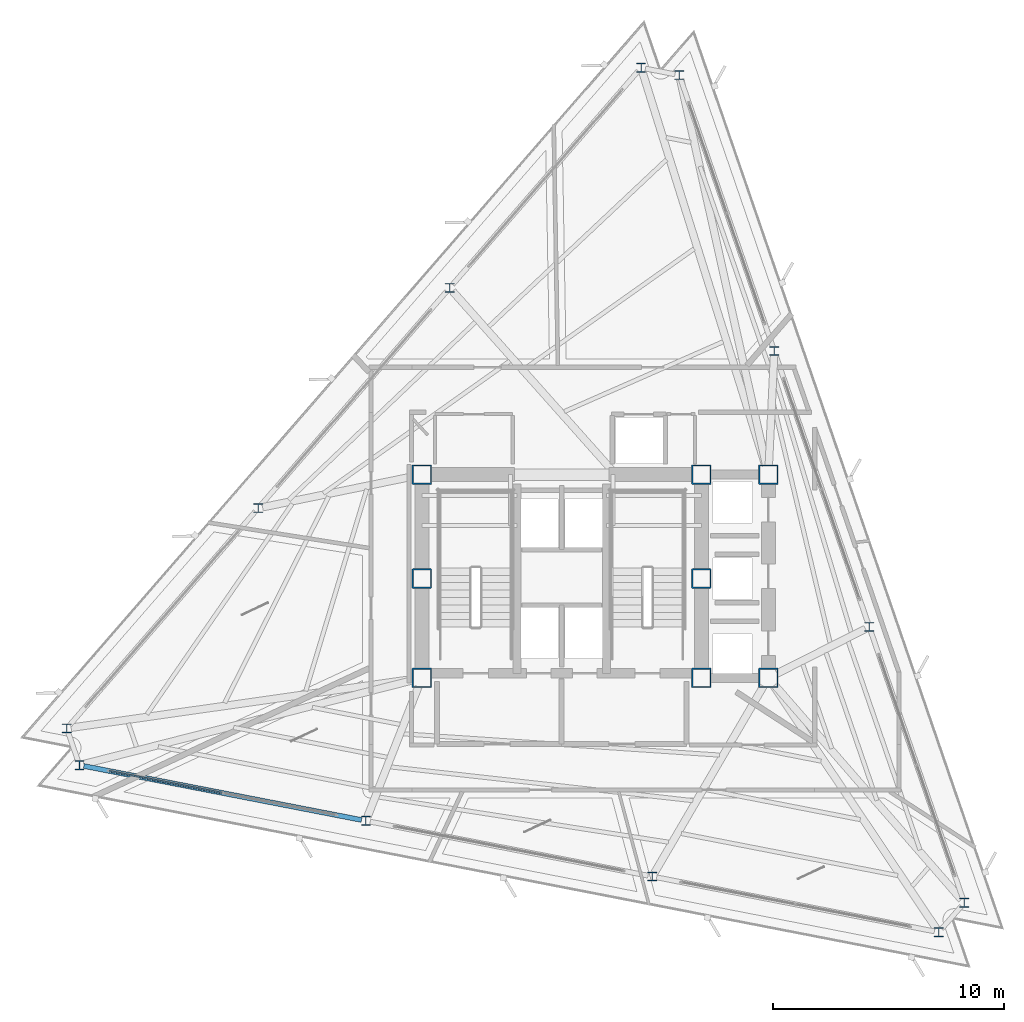
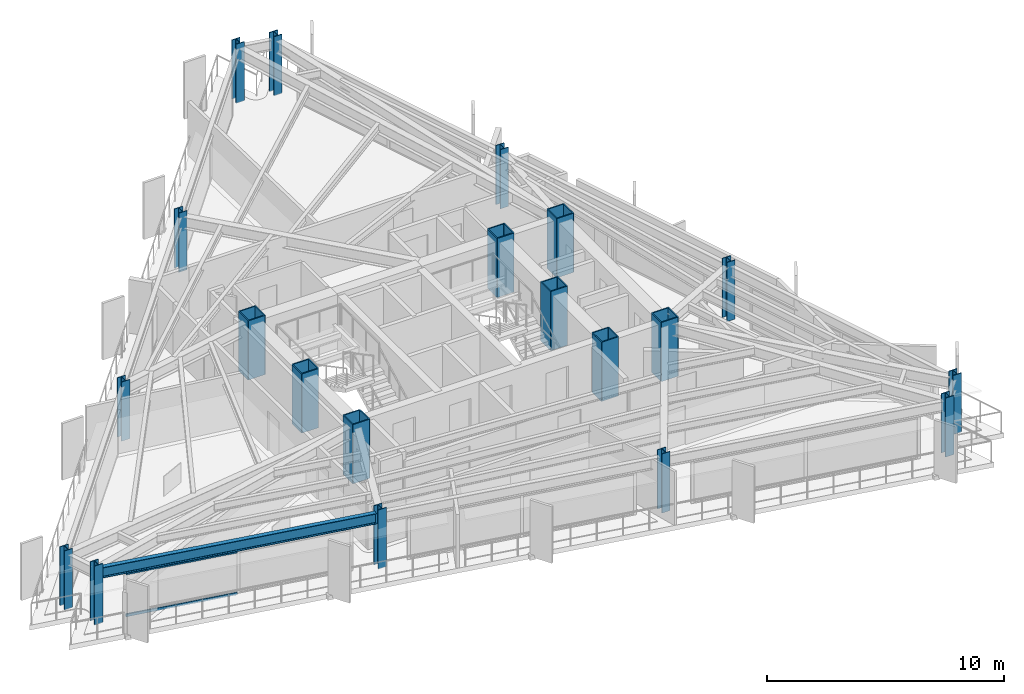
# One storey, part 1 of 13: 20 columns, 2 members, 1 beam, 1 element without a shape of its own.
"""IFC4 building model written with IfcOpenShell, lengths in metres."""

from ifc_helpers import new_model, si_unit, direction, frame, origin, origin_2d, place, context, subcontext, project, spatial, rectangle, hollow_rectangle, i_section, extrude, material, layer, layer_set, material_profile, profile_set, type_object, element, aggregate, save


model = new_model("IFC4")

# Units and contexts
model_context = context("Model", 3, precision=1e-05, world=origin(), true_north=direction((0.0, 1.0)))
body_context = subcontext(model_context, "Body", "Model", "MODEL_VIEW")
ifc_project = project(units=[si_unit("LENGTHUNIT", "METRE"), si_unit("AREAUNIT", "SQUARE_METRE"), si_unit("VOLUMEUNIT", "CUBIC_METRE"), si_unit("PLANEANGLEUNIT", "RADIAN"), si_unit("MASSUNIT", "GRAM", prefix="KILO")], contexts=[model_context])

# Site, building, storey
site_placement = place(None, origin())
site = spatial("IfcSite", under=ifc_project, at=site_placement, CompositionType="ELEMENT")
building_placement = place(site_placement, origin())
building = spatial("IfcBuilding", under=site, at=building_placement, Name="Rocaltana Carrier Exchange", CompositionType="ELEMENT")
storey_placement = place(building_placement, frame((0.0, 0.0, 156.320068359375)))
storey = spatial("IfcBuildingStorey", under=building, at=storey_placement, Name="L49", CompositionType="ELEMENT", Elevation=156.320068359375)

# Columns
ifc_material_1 = material(Name="Steel S460", Category="steel")
ifc_material_profile_1 = material_profile(ifc_material_1, hollow_rectangle(XDim=0.85009765625, YDim=0.85009765625, WallThickness=0.054931640625, InnerFilletRadius=0.02001953125, OuterFilletRadius=0.0400390625, at=origin_2d()), Name="BOX850X850X55")
ifc_profile_set_1 = profile_set([ifc_material_profile_1], Name="Steel S460")
column_type_1 = type_object("IfcColumnType", Name="Core Mega-Column BOX850", PredefinedType="COLUMN", material=ifc_profile_set_1)
for number, where, z_axis, x_axis, name in (
    (1, (-6.050048828125, 4.5, 0.0), (0.0, 0.0, 1.0), (1.0, 0.0, 0.0), "L49 Core Mega-Column MC1"),
    (2, (6.050048828125, 4.5, 0.0), (0.0, 0.0, 1.0), (1.0, 0.0, 0.0), "L49 Core Mega-Column MC2"),
    (3, (-6.050048828125, 0.0, 0.0), (0.0, 0.0, 1.0), (1.0, 0.0, 0.0), "L49 Core Mega-Column MC3"),
    (4, (6.050048828125, 0.0, 0.0), (0.0, 0.0, 1.0), (1.0, 0.0, 0.0), "L49 Core Mega-Column MC4"),
    (5, (-6.050048828125, -4.300048828125, 0.0), (0.0, 0.0, 1.0), (1.0, 0.0, 0.0), "L49 Core Mega-Column MC5"),
    (6, (6.050048828125, -4.300048828125, 0.0), (0.0, 0.0, 1.0), (1.0, 0.0, 0.0), "L49 Core Mega-Column MC6"),
    (7, (8.949951171875, 4.5, 0.0), (0.0, 0.0, 1.0), (1.0, 0.0, 0.0), "L49 East Core Column EC1"),
    (8, (8.949951171875, -4.300048828125, 0.0), (0.0, 0.0, 1.0), (1.0, 0.0, 0.0), "L49 East Core Column EC2"),
):
    element("IfcColumn", number, at=place(storey_placement, frame(where, z_axis=z_axis, x_axis=x_axis)), inside=storey, type_object=column_type_1, Name=name, PredefinedType="COLUMN", context=body_context, shape_type="SweptSolid", body=[
        extrude(hollow_rectangle(XDim=0.85009765625, YDim=0.85009765625, WallThickness=0.054931640625, InnerFilletRadius=0.02001953125, OuterFilletRadius=0.0400390625, at=origin_2d()), origin(), (0.0, 0.0, 1.0), 3.0400390625),
    ])
ifc_material_2 = material(Name="Steel S355", Category="steel")
ifc_material_profile_2 = material_profile(ifc_material_2, i_section(OverallWidth=0.40087890625, OverallDepth=0.39892578125, WebThickness=0.02490234375, FlangeThickness=0.03955078125, FilletRadius=0.01806640625, at=origin_2d()), Name="W14X211")
ifc_profile_set_2 = profile_set([ifc_material_profile_2], Name="Steel S355")
column_type_2 = type_object("IfcColumnType", Name="Perimeter Column W14X211", PredefinedType="COLUMN", material=ifc_profile_set_2)
for number, where, z_axis, x_axis, name in (
    (9, (17.43408203125, -14.038818359375, 0.0), (0.0, 0.0, 1.0), (1.0, 0.0, 0.0), "L49 Perimeter Column TC01"),
    (10, (13.321044921875, -2.09375, 0.0), (0.0, 0.0, 1.0), (1.0, 0.0, 0.0), "L49 Perimeter Column TC02"),
    (11, (9.2080078125, 9.851318359375, 0.0), (0.0, 0.0, 1.0), (1.0, 0.0, 0.0), "L49 Perimeter Column TC03"),
    (12, (5.094970703125, 21.79638671875, 0.0), (0.0, 0.0, 1.0), (1.0, 0.0, 0.0), "L49 Perimeter Column TC04"),
    (13, (3.44091796875, 22.117919921875, 0.0), (0.0, 0.0, 1.0), (1.0, 0.0, 0.0), "L49 Perimeter Column TC05"),
    (14, (-4.84716796875, 12.583251953125, 0.0), (0.0, 0.0, 1.0), (1.0, 0.0, 0.0), "L49 Perimeter Column TC06"),
    (15, (-13.135498046875, 3.048828125, 0.0), (0.0, 0.0, 1.0), (1.0, 0.0, 0.0), "L49 Perimeter Column TC07"),
    (16, (-21.423583984375, -6.485595703125, 0.0), (0.0, 0.0, 1.0), (1.0, 0.0, 0.0), "L49 Perimeter Column TC08"),
    (17, (-20.875, -8.078857421875, 0.0), (0.0, 0.0, 1.0), (1.0, 0.0, 0.0), "L49 Perimeter Column TC09"),
    (18, (-8.473876953125, -10.489501953125, 0.0), (0.0, 0.0, 1.0), (1.0, 0.0, 0.0), "L49 Perimeter Column TC10"),
    (19, (3.927490234375, -12.89990234375, 0.0), (0.0, 0.0, 1.0), (1.0, 0.0, 0.0), "L49 Perimeter Column TC11"),
    (20, (16.32861328125, -15.310546875, 0.0), (0.0, 0.0, 1.0), (1.0, 0.0, 0.0), "L49 Perimeter Column TC12"),
):
    element("IfcColumn", number, at=place(storey_placement, frame(where, z_axis=z_axis, x_axis=x_axis)), inside=storey, type_object=column_type_2, Name=name, PredefinedType="COLUMN", context=body_context, shape_type="SweptSolid", body=[
        extrude(i_section(OverallWidth=0.40087890625, OverallDepth=0.39892578125, WebThickness=0.02490234375, FlangeThickness=0.03955078125, FilletRadius=0.01806640625, at=origin_2d()), origin(), (0.0, 0.0, 1.0), 3.0400390625),
    ])

# Curtain wall, members
ifc_material_3 = material(Name="Aluminium 6063-T6", Category="aluminium")
ifc_layer = layer(ifc_material_3, 0.135009765625)
ifc_layer_set = layer_set([ifc_layer], Name="Aluminium 6063-T6")
curtain_wall_type = type_object("IfcCurtainWallType", Name="Upper-Mid Acoustic Curtain Wall CW-04", PredefinedType="NOTDEFINED", material=ifc_layer_set)
curtain_wall_placement = place(storey_placement, origin())
curtain_wall = element("IfcCurtainWall", 21, at=curtain_wall_placement, inside=storey, type_object=curtain_wall_type, Name="L49 CW-04 Run CW-L49-F3S1", PredefinedType="NOTDEFINED")
ifc_material_4 = material(Name="Aluminium 6063-T6", Category="aluminium")
ifc_material_profile_3 = material_profile(ifc_material_4, rectangle(XDim=0.06494140625, YDim=0.135009765625, at=origin_2d()), Name="AL-65X135")
ifc_profile_set_3 = profile_set([ifc_material_profile_3], Name="Aluminium 6063-T6")
member_type = type_object("IfcMemberType", Name="CW-04 Transom AL-65X135", PredefinedType="USERDEFINED", material=ifc_profile_set_3)
member_1_placement = place(storey_placement, frame((-19.584228515625, -8.329833984375, 0.032470703125), z_axis=(0.981633795462, -0.190774976365, 0.0), x_axis=(0.190774976365, 0.981633795462, 0.0)))
member_1 = element("IfcMember", 22, at=member_1_placement, type_object=member_type, Name="CW-04 transom 1.1", ObjectType="TRANSOM", PredefinedType="USERDEFINED", context=body_context, shape_type="SweptSolid", body=[
    extrude(rectangle(XDim=0.06494140625, YDim=0.135009765625, at=origin_2d()), origin(), (0.0, 0.0, 1.0), 4.96923828125),
])
member_2_placement = place(storey_placement, frame((-19.584228515625, -8.329833984375, 2.185546875), z_axis=(0.981633795462, -0.190774976365, 0.0), x_axis=(0.190774976365, 0.981633795462, 0.0)))
member_2 = element("IfcMember", 23, at=member_2_placement, type_object=member_type, Name="CW-04 transom 1.2", ObjectType="TRANSOM", PredefinedType="USERDEFINED", context=body_context, shape_type="SweptSolid", body=[
    extrude(rectangle(XDim=0.06494140625, YDim=0.135009765625, at=origin_2d()), origin(), (0.0, 0.0, 1.0), 4.96923828125),
])
aggregate(curtain_wall, [member_1, member_2])

# Beam
ifc_material_5 = material(Name="Steel S355", Category="steel")
ifc_material_profile_4 = material_profile(ifc_material_5, i_section(OverallWidth=0.2119140625, OverallDepth=0.5439453125, WebThickness=0.01318359375, FlangeThickness=0.021240234375, FilletRadius=0.014892578125, at=origin_2d()), Name="W21X83")
ifc_profile_set_4 = profile_set([ifc_material_profile_4], Name="Steel S355")
beam_type = type_object("IfcBeamType", Name="Spandrel Edge Beam W21X83", PredefinedType="SPANDREL", material=ifc_profile_set_4)
beam_placement = place(storey_placement, frame((-20.68701171875, -8.115478515625, 2.515869140625), z_axis=(0.981627937951, -0.190805113754, 0.0), x_axis=(0.190805113754, 0.981627937951, 0.0)))
element("IfcBeam", 24, at=beam_placement, inside=storey, type_object=beam_type, Name="SP-L49-09", PredefinedType="SPANDREL", context=body_context, shape_type="SweptSolid", body=[
    extrude(i_section(OverallWidth=0.2119140625, OverallDepth=0.5439453125, WebThickness=0.01318359375, FlangeThickness=0.021240234375, FilletRadius=0.014892578125, at=origin_2d()), origin(), (0.0, 0.0, 1.0), 12.250244140625),
])

save(model, "model.ifc")
